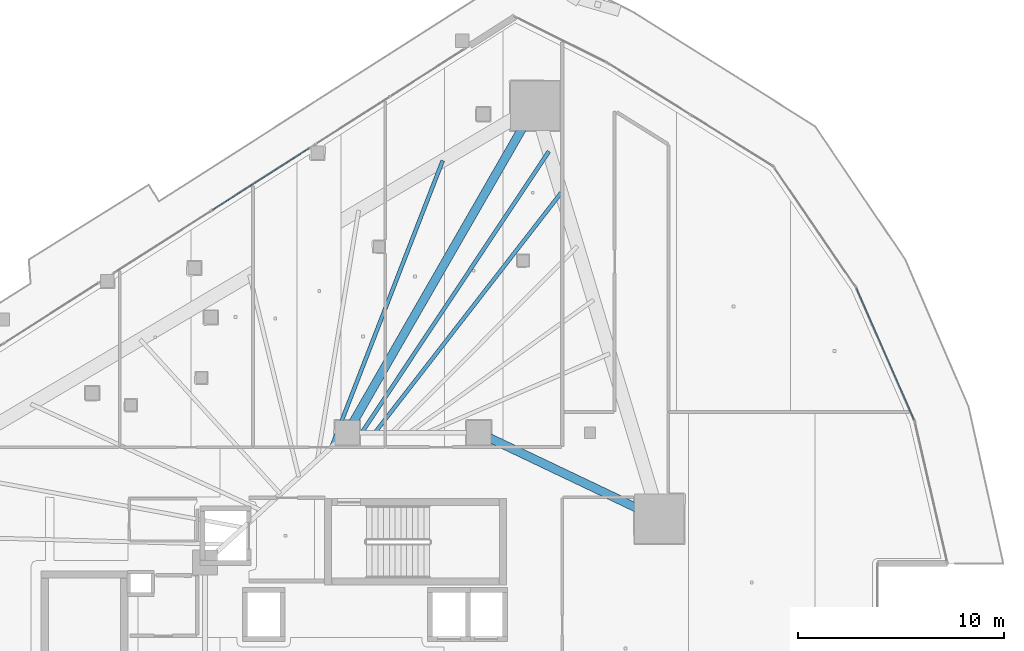
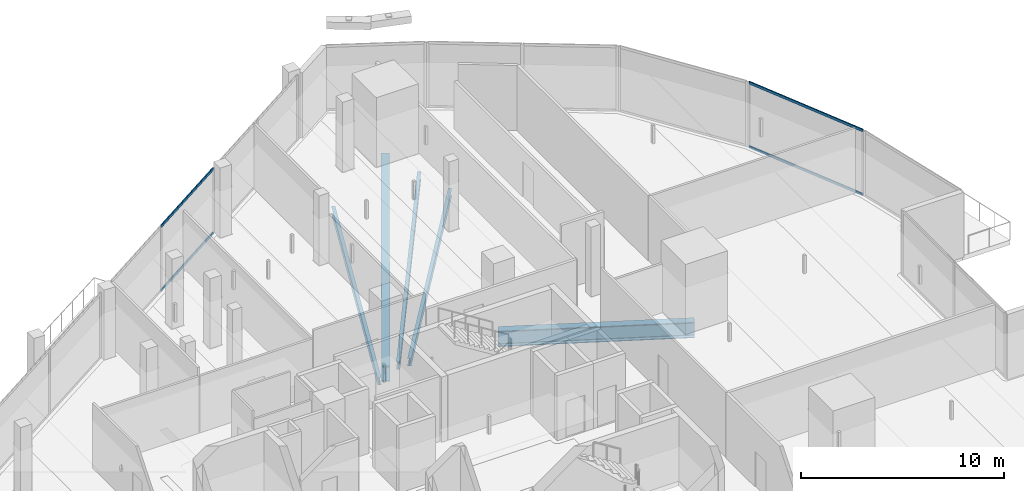
# One storey, part 21 of 45: 5 beams, 4 members, 2 elements without a shape of their own.
"""IFC4 building model written with IfcOpenShell, lengths in metres."""

from ifc_helpers import new_model, si_unit, direction, frame, origin, origin_2d, place, context, subcontext, project, spatial, hollow_rectangle, i_section, extrude, material, layer, layer_set, material_profile, profile_set, type_object, element, aggregate, save


model = new_model("IFC4")

# Units and contexts
model_context = context("Model", 3, precision=1e-05, world=origin(), true_north=direction((0.0, 1.0)))
body_context = subcontext(model_context, "Body", "Model", "MODEL_VIEW")
ifc_project = project(units=[si_unit("LENGTHUNIT", "METRE"), si_unit("AREAUNIT", "SQUARE_METRE"), si_unit("VOLUMEUNIT", "CUBIC_METRE"), si_unit("PLANEANGLEUNIT", "RADIAN"), si_unit("MASSUNIT", "GRAM", prefix="KILO")], contexts=[model_context])

# Site, building, storey
site_placement = place(None, origin())
site = spatial("IfcSite", under=ifc_project, at=site_placement, CompositionType="ELEMENT")
building_placement = place(site_placement, origin())
building = spatial("IfcBuilding", under=site, at=building_placement, Name="Qorvath Tower", CompositionType="ELEMENT")
storey_placement = place(building_placement, frame((0.0, 0.0, 91.199951171875)))
storey = spatial("IfcBuildingStorey", under=building, at=storey_placement, Name="L20", CompositionType="ELEMENT", Elevation=91.199951171875)

# Beams
ifc_material_1 = material(Name="Steel ASTM A992 Grade 50", Category="steel")
ifc_material_profile_1 = material_profile(ifc_material_1, i_section(OverallWidth=0.422119140625, OverallDepth=0.93310546875, WebThickness=0.021240234375, FlangeThickness=0.039794921875, FilletRadius=0.02392578125, at=origin_2d()), Name="W36x262")
ifc_profile_set_1 = profile_set([ifc_material_profile_1], Name="Steel ASTM A992 Grade 50")
beam_type_1 = type_object("IfcBeamType", Name="BM-FG1", PredefinedType="BEAM", material=ifc_profile_set_1)
beam_1_placement = place(storey_placement, frame((-23.60009765625, 11.449951171875, -0.74658203125), z_axis=(0.498645367714, 0.866806089767, 0.0), x_axis=(-0.866806089767, 0.498645367714, 0.0)))
element("IfcBeam", 1, at=beam_1_placement, inside=storey, type_object=beam_type_1, Name="Radial Floor Girder CC1-MC6 L20", PredefinedType="BEAM", context=body_context, shape_type="SweptSolid", body=[
    extrude(i_section(OverallWidth=0.422119140625, OverallDepth=0.93310546875, WebThickness=0.021240234375, FlangeThickness=0.039794921875, FilletRadius=0.02392578125, at=origin_2d()), origin(), (0.0, 0.0, 1.0), 18.321044921875),
])
beam_2_placement = place(storey_placement, frame((-17.199951171875, 11.449951171875, -0.74658203125), z_axis=(0.902955751435, -0.429733534821, 0.0), x_axis=(0.429733534821, 0.902955751435, 0.0)))
element("IfcBeam", 2, at=beam_2_placement, inside=storey, type_object=beam_type_1, Name="Radial Floor Girder CC2-MC5 L20", PredefinedType="BEAM", context=body_context, shape_type="SweptSolid", body=[
    extrude(i_section(OverallWidth=0.422119140625, OverallDepth=0.93310546875, WebThickness=0.021240234375, FlangeThickness=0.039794921875, FilletRadius=0.02392578125, at=origin_2d()), origin(), (0.0, 0.0, 1.0), 9.7119140625),
])
ifc_material_2 = material(Name="Steel ASTM A992 Grade 50", Category="steel")
ifc_material_profile_2 = material_profile(ifc_material_2, i_section(OverallWidth=0.18994140625, OverallDepth=0.45703125, WebThickness=0.009033203125, FlangeThickness=0.014404296875, FilletRadius=0.011962890625, at=origin_2d()), Name="W18x50")
ifc_profile_set_2 = profile_set([ifc_material_profile_2], Name="Steel ASTM A992 Grade 50")
beam_type_2 = type_object("IfcBeamType", Name="BM-FJ2", PredefinedType="JOIST", material=ifc_profile_set_2)
beam_3_placement = place(storey_placement, frame((-22.256103515625, 11.449951171875, -0.508544921875), z_axis=(0.613206963859, 0.789922286984, 0.0), x_axis=(-0.789922286984, 0.613206963859, 0.0)))
element("IfcBeam", 3, at=beam_3_placement, inside=storey, type_object=beam_type_2, Name="Composite Floor Joist NE6 L20", PredefinedType="JOIST", context=body_context, shape_type="SweptSolid", body=[
    extrude(i_section(OverallWidth=0.18994140625, OverallDepth=0.45703125, WebThickness=0.009033203125, FlangeThickness=0.014404296875, FilletRadius=0.011962890625, at=origin_2d()), origin(), (0.0, 0.0, 1.0), 14.77294921875),
])
beam_4_placement = place(storey_placement, frame((-22.89599609375, 11.449951171875, -0.508544921875), z_axis=(0.553811384989, 0.83264214994, 0.0), x_axis=(-0.83264214994, 0.553811384989, 0.0)))
element("IfcBeam", 4, at=beam_4_placement, inside=storey, type_object=beam_type_2, Name="Composite Floor Joist NE7 L20", PredefinedType="JOIST", context=body_context, shape_type="SweptSolid", body=[
    extrude(i_section(OverallWidth=0.18994140625, OverallDepth=0.45703125, WebThickness=0.009033203125, FlangeThickness=0.014404296875, FilletRadius=0.011962890625, at=origin_2d()), origin(), (0.0, 0.0, 1.0), 16.42333984375),
])
beam_5_placement = place(storey_placement, frame((-24.35888671875, 10.757080078125, -0.508544921875), z_axis=(0.361964096586, 0.93219203643, 0.0), x_axis=(-0.93219203643, 0.361964096586, 0.0)))
element("IfcBeam", 5, at=beam_5_placement, inside=storey, type_object=beam_type_2, Name="Composite Floor Joist NW7 L20", PredefinedType="JOIST", context=body_context, shape_type="SweptSolid", body=[
    extrude(i_section(OverallWidth=0.18994140625, OverallDepth=0.45703125, WebThickness=0.009033203125, FlangeThickness=0.014404296875, FilletRadius=0.011962890625, at=origin_2d()), origin(), (0.0, 0.0, 1.0), 14.93115234375),
])

# Curtain wall, members
ifc_material_3 = material(Name="Anodised aluminium and triple low-E glass", Category="aluminium")
ifc_layer = layer(ifc_material_3, 0.179931640625)
ifc_layer_set = layer_set([ifc_layer], Name="CW-SYS-2")
curtain_wall_type = type_object("IfcCurtainWallType", Name="CW-SYS-2", PredefinedType="NOTDEFINED", material=ifc_layer_set)
curtain_wall_1_placement = place(storey_placement, origin())
curtain_wall_1 = element("IfcCurtainWall", 6, at=curtain_wall_1_placement, inside=storey, type_object=curtain_wall_type, Name="Curtain Wall CW-2 CW-T-L20-12.1", PredefinedType="NOTDEFINED")
ifc_material_4 = material(Name="Anodised aluminium 6063-T6", Category="aluminium")
ifc_material_profile_3 = material_profile(ifc_material_4, hollow_rectangle(XDim=0.06494140625, YDim=0.159912109375, WallThickness=0.00341796875, InnerFilletRadius=0.00341796875, OuterFilletRadius=0.007080078125, at=origin_2d()), Name="CWT 160x65")
ifc_profile_set_3 = profile_set([ifc_material_profile_3], Name="Anodised aluminium 6063-T6")
member_type = type_object("IfcMemberType", Name="CWT-160", PredefinedType="USERDEFINED", material=ifc_profile_set_3)
member_1_placement = place(storey_placement, frame((3.947021484375, 12.074951171875, 0.032470703125), z_axis=(-0.40148574416, 0.915865272426, 0.0), x_axis=(-0.915865272426, -0.40148574416, 0.0)))
member_1 = element("IfcMember", 7, at=member_1_placement, type_object=member_type, Name="CW-2 transom 1.1", ObjectType="TRANSOM", PredefinedType="USERDEFINED", context=body_context, shape_type="SweptSolid", body=[
    extrude(hollow_rectangle(XDim=0.06494140625, YDim=0.159912109375, WallThickness=0.00341796875, InnerFilletRadius=0.00341796875, OuterFilletRadius=0.007080078125, at=origin_2d()), origin(), (0.0, 0.0, 1.0), 6.969970703125),
])
member_2_placement = place(storey_placement, frame((3.947021484375, 12.074951171875, 3.8876953125), z_axis=(-0.40148574416, 0.915865272426, 0.0), x_axis=(-0.915865272426, -0.40148574416, 0.0)))
member_2 = element("IfcMember", 8, at=member_2_placement, type_object=member_type, Name="CW-2 transom 1.2", ObjectType="TRANSOM", PredefinedType="USERDEFINED", context=body_context, shape_type="SweptSolid", body=[
    extrude(hollow_rectangle(XDim=0.06494140625, YDim=0.159912109375, WallThickness=0.00341796875, InnerFilletRadius=0.00341796875, OuterFilletRadius=0.007080078125, at=origin_2d()), origin(), (0.0, 0.0, 1.0), 6.969970703125),
])
aggregate(curtain_wall_1, [member_1, member_2])

curtain_wall_2_placement = place(storey_placement, origin())
curtain_wall_2 = element("IfcCurtainWall", 9, at=curtain_wall_2_placement, inside=storey, type_object=curtain_wall_type, Name="Curtain Wall CW-2 CW-T-L20-16.3", PredefinedType="NOTDEFINED")
member_3_placement = place(storey_placement, frame((-25.46240234375, 25.260498046875, 0.032470703125), z_axis=(-0.842604426813, -0.538532988697, 0.0), x_axis=(0.538532988697, -0.842604426813, 0.0)))
member_3 = element("IfcMember", 10, at=member_3_placement, type_object=member_type, Name="CW-2 transom 1.1", ObjectType="TRANSOM", PredefinedType="USERDEFINED", context=body_context, shape_type="SweptSolid", body=[
    extrude(hollow_rectangle(XDim=0.06494140625, YDim=0.159912109375, WallThickness=0.00341796875, InnerFilletRadius=0.00341796875, OuterFilletRadius=0.007080078125, at=origin_2d()), origin(), (0.0, 0.0, 1.0), 5.5625),
])
member_4_placement = place(storey_placement, frame((-25.46240234375, 25.260498046875, 3.8876953125), z_axis=(-0.842604426813, -0.538532988697, 0.0), x_axis=(0.538532988697, -0.842604426813, 0.0)))
member_4 = element("IfcMember", 11, at=member_4_placement, type_object=member_type, Name="CW-2 transom 1.2", ObjectType="TRANSOM", PredefinedType="USERDEFINED", context=body_context, shape_type="SweptSolid", body=[
    extrude(hollow_rectangle(XDim=0.06494140625, YDim=0.159912109375, WallThickness=0.00341796875, InnerFilletRadius=0.00341796875, OuterFilletRadius=0.007080078125, at=origin_2d()), origin(), (0.0, 0.0, 1.0), 5.5625),
])
aggregate(curtain_wall_2, [member_3, member_4])

save(model, "model.ifc")
